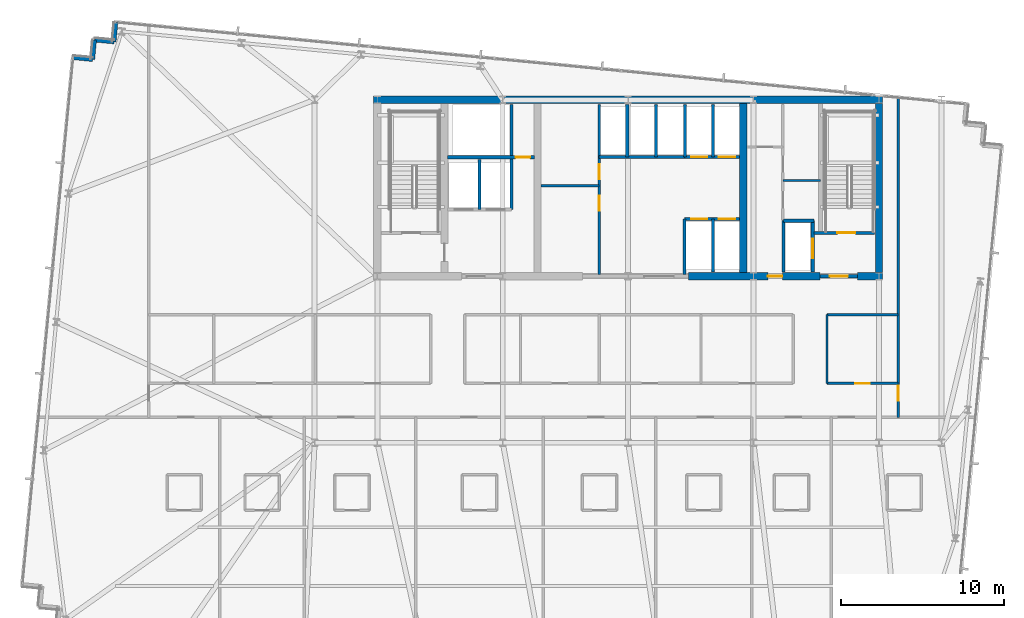
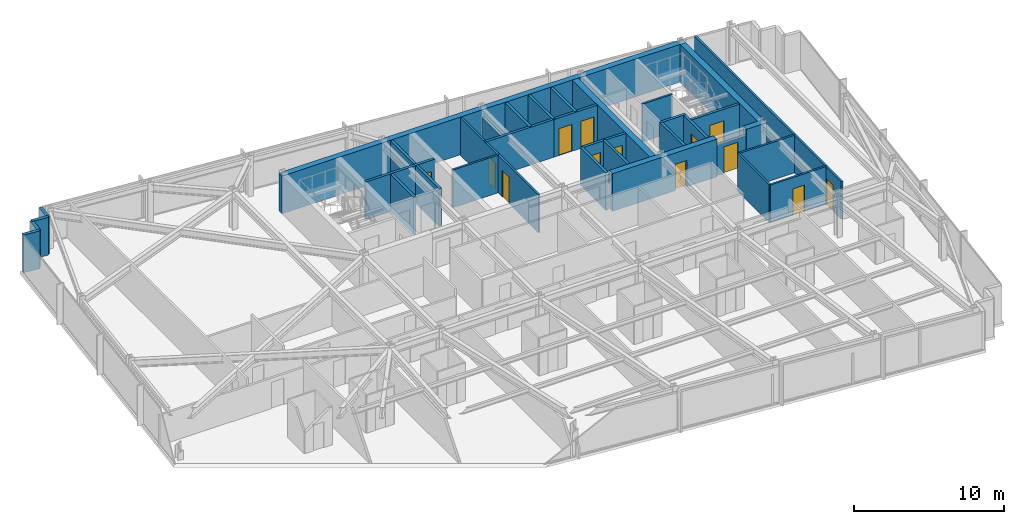
# One storey, part 31 of 37: 33 walls, 13 doors, 13 openings.
"""IFC4 building model written with IfcOpenShell, lengths in metres."""

from ifc_helpers import new_model, si_unit, direction, frame, frame_2d, origin, place, context, subcontext, project, spatial, rectangle, extrude, material, layer, layer_set, type_object, element, fill, save


model = new_model("IFC4")

# Units and contexts
model_context = context("Model", 3, precision=1e-05, world=origin(), true_north=direction((0.0, 1.0)))
body_context = subcontext(model_context, "Body", "Model", "MODEL_VIEW")
ifc_project = project(units=[si_unit("LENGTHUNIT", "METRE"), si_unit("AREAUNIT", "SQUARE_METRE"), si_unit("VOLUMEUNIT", "CUBIC_METRE"), si_unit("PLANEANGLEUNIT", "RADIAN"), si_unit("MASSUNIT", "GRAM", prefix="KILO")], contexts=[model_context])

# Site, building, storey
site_placement = place(None, origin())
site = spatial("IfcSite", under=ifc_project, at=site_placement, CompositionType="ELEMENT")
building_placement = place(site_placement, origin())
building = spatial("IfcBuilding", under=site, at=building_placement, Name="Yelkora Congress Tower", CompositionType="ELEMENT")
storey_placement = place(building_placement, frame((0.0, 0.0, 175.39990234375)))
storey = spatial("IfcBuildingStorey", under=building, at=storey_placement, Name="L48", CompositionType="ELEMENT", Elevation=175.39990234375)

# Wall
ifc_material_1 = material(Name="Concrete C60/75", Category="concrete")
ifc_layer_1 = layer(ifc_material_1, 0.449951171875)
ifc_layer_set_1 = layer_set([ifc_layer_1], Name="Concrete C60/75")
wall_type_1 = type_object("IfcWallType", Name="WALL-CORE-INT-450", PredefinedType="SHEAR", material=ifc_layer_set_1)
wall_1_placement = place(storey_placement, frame((22.81494140625, 46.199951171875, 0.0), z_axis=(0.0, 0.0, 1.0), x_axis=(1.0, 0.0, 0.0)))
element("IfcWall", 1, at=wall_1_placement, inside=storey, type_object=wall_type_1, Name="L48 Rear Core North Shear Wall", PredefinedType="SHEAR", context=body_context, shape_type="SweptSolid", body=[
    extrude(rectangle(XDim=31.170166015625, YDim=0.449951171875, at=frame_2d((15.5849609375, 0.0))), origin(), (0.0, 0.0, 1.0), 3.080078125),
])

# Wall, opening, door
wall_2_placement = place(storey_placement, frame((42.10009765625, 35.39990234375, 0.0), z_axis=(0.0, 0.0, 1.0), x_axis=(1.0, 0.0, 0.0)))
wall_2 = element("IfcWall", 2, at=wall_2_placement, inside=storey, type_object=wall_type_1, Name="L48 Rear Core South-East Shear Wall A", PredefinedType="SHEAR", context=body_context, shape_type="SweptSolid", body=[
    extrude(rectangle(XDim=8.0498046875, YDim=0.449951171875, at=frame_2d((4.02490234375, 0.0))), origin(), (0.0, 0.0, 1.0), 3.080078125),
])
opening_1_placement = place(wall_2_placement, frame((4.85009765625, 0.0, 0.0)))
opening_1 = element("IfcOpeningElement", 3, at=opening_1_placement, cuts=wall_2, Name="Opening DR-090F6", PredefinedType="OPENING", context=body_context, shape_type="SweptSolid", body=[
    extrude(rectangle(XDim=0.89990234375, YDim=2.14990234375, at=frame_2d((0.449951171875, 1.074951171875))), frame((0.0, 0.23486328125, 0.0), z_axis=(0.0, -1.0, 0.0), x_axis=(1.0, 0.0, 0.0)), (0.0, 0.0, 1.0), 0.469970703125),
])
ifc_material_2 = material(Name="Painted steel riser fire door leaf", Category="steel")
door_type_1 = type_object("IfcDoorType", Name="DOOR-FD60-900", OperationType="NOTDEFINED", PredefinedType="DOOR", material=ifc_material_2)
door_1_placement = place(opening_1_placement, origin())
door_1 = element("IfcDoor", 4, at=door_1_placement, inside=storey, type_object=door_type_1, Name="L48 Core Washroom Lobby Door", OperationType="SINGLE_SWING_RIGHT", OverallHeight=2.14990234375, OverallWidth=0.89990234375, PredefinedType="DOOR", context=body_context, shape_type="SweptSolid", body=[
    extrude(rectangle(XDim=0.89990234375, YDim=2.14990234375, at=frame_2d((0.449951171875, 1.074951171875))), frame((0.0, 0.02490234375, 0.0), z_axis=(0.0, -1.0, 0.0), x_axis=(1.0, 0.0, 0.0)), (0.0, 0.0, 1.0), 0.050048828125),
])
fill(opening_1, door_1)

# Walls
wall_3_placement = place(storey_placement, frame((52.449951171875, 35.39990234375, 0.0), z_axis=(0.0, 0.0, 1.0), x_axis=(1.0, 0.0, 0.0)))
element("IfcWall", 5, at=wall_3_placement, inside=storey, type_object=wall_type_1, Name="L48 Rear Core South-East Shear Wall B", PredefinedType="SHEAR", context=body_context, shape_type="SweptSolid", body=[
    extrude(rectangle(XDim=1.53515625, YDim=0.449951171875, at=frame_2d((0.767578125, 0.0))), origin(), (0.0, 0.0, 1.0), 3.080078125),
])
for number, where, z_axis, x_axis, name in (
    (6, (45.449951171875, 35.625, 0.0), (0.0, 0.0, 1.0), (0.0, 1.0, 0.0), "L48 Rear Core Cross Shear Wall C3"),
    (7, (53.760009765625, 35.625, 0.0), (0.0, 0.0, 1.0), (0.0, 1.0, 0.0), "L48 Rear Core Cross Shear Wall E"),
):
    element("IfcWall", number, at=place(storey_placement, frame(where, z_axis=z_axis, x_axis=x_axis)), inside=storey, type_object=wall_type_1, Name=name, PredefinedType="SHEAR", context=body_context, shape_type="SweptSolid", body=[
        extrude(rectangle(XDim=10.35009765625, YDim=0.449951171875, at=frame_2d((5.175048828125, 0.0))), origin(), (0.0, 0.0, 1.0), 3.080078125),
    ])
ifc_material_3 = material(Name="Concrete C40/50", Category="concrete")
ifc_layer_2 = layer(ifc_material_3, 0.239990234375)
ifc_layer_set_2 = layer_set([ifc_layer_2], Name="Concrete C40/50")
wall_type_2 = type_object("IfcWallType", Name="WALL-EXT-LIMESTONE-240", PredefinedType="SOLIDWALL", material=ifc_layer_set_2)
wall_4_placement = place(storey_placement, frame((4.41064453125, 48.778564453125, 0.0), z_axis=(0.0, 0.0, 1.0), x_axis=(0.995397091755, -0.095836473879, 0.0)))
element("IfcWall", 8, at=wall_4_placement, inside=storey, type_object=wall_type_2, Name="L48 Serrated Corner Limestone Pier 6", PredefinedType="SOLIDWALL", context=body_context, shape_type="SweptSolid", body=[
    extrude(rectangle(XDim=1.199951171875, YDim=0.239990234375, at=frame_2d((0.60009765625, 0.0))), origin(), (0.0, 0.0, 1.0), 3.080078125),
])
wall_5_placement = place(storey_placement, frame((5.60498046875, 48.66357421875, 0.0), z_axis=(0.0, 0.0, 1.0), x_axis=(0.096018626938, 0.995379537303, 0.0)))
element("IfcWall", 9, at=wall_5_placement, inside=storey, type_object=wall_type_2, Name="L48 Serrated Corner Limestone Pier 7", PredefinedType="SOLIDWALL", context=body_context, shape_type="SweptSolid", body=[
    extrude(rectangle(XDim=1.2001953125, YDim=0.239990234375, at=frame_2d((0.60009765625, 0.0))), origin(), (0.0, 0.0, 1.0), 3.080078125),
])
for number, where, z_axis, x_axis, name in (
    (10, (5.72021484375, 49.858154296875, 0.0), (0.0, 0.0, 1.0), (0.995397091755, -0.095836473879, 0.0), "L48 Serrated Corner Limestone Pier 8"),
    (11, (6.91455078125, 49.7431640625, 0.0), (0.0, 0.0, 1.0), (0.095836473879, 0.995397091755, 0.0), "L48 Serrated Corner Limestone Pier 9"),
):
    element("IfcWall", number, at=place(storey_placement, frame(where, z_axis=z_axis, x_axis=x_axis)), inside=storey, type_object=wall_type_2, Name=name, PredefinedType="SOLIDWALL", context=body_context, shape_type="SweptSolid", body=[
        extrude(rectangle(XDim=1.199951171875, YDim=0.239990234375, at=frame_2d((0.60009765625, 0.0))), origin(), (0.0, 0.0, 1.0), 3.080078125),
    ])
ifc_material_4 = material(Name="Acoustic metal-stud gypsum partition", Category="gypsum")
ifc_layer_3 = layer(ifc_material_4, 0.14990234375)
ifc_layer_set_3 = layer_set([ifc_layer_3], Name="Acoustic metal-stud gypsum partition")
wall_type_3 = type_object("IfcWallType", Name="WALL-INT-150-NR", PredefinedType="PARTITIONING", material=ifc_layer_set_3)
wall_6_placement = place(storey_placement, frame((47.8798828125, 41.260009765625, 0.0), z_axis=(0.0, 0.0, 1.0), x_axis=(1.0, 0.0, 0.0)))
element("IfcWall", 12, at=wall_6_placement, inside=storey, type_object=wall_type_3, Name="L48 Partition Wall 25", PredefinedType="PARTITIONING", context=body_context, shape_type="SweptSolid", body=[
    extrude(rectangle(XDim=2.300048828125, YDim=0.14990234375, at=frame_2d((1.14990234375, 0.0))), origin(), (0.0, 0.0, 1.0), 3.080078125),
])

# Wall, opening, door
wall_7_placement = place(storey_placement, frame((54.93408203125, 26.75, 0.0), z_axis=(0.0, 0.0, 1.0), x_axis=(0.0, 1.0, 0.0)))
wall_7 = element("IfcWall", 13, at=wall_7_placement, inside=storey, type_object=wall_type_3, Name="L48 Partition Wall 68", PredefinedType="PARTITIONING", context=body_context, shape_type="SweptSolid", body=[
    extrude(rectangle(XDim=19.63525390625, YDim=0.14990234375, at=frame_2d((9.817626953125, 0.0))), origin(), (0.0, 0.0, 1.0), 3.080078125),
])
opening_2_placement = place(wall_7_placement, frame((1.030029296875, 0.0, 0.0)))
opening_2 = element("IfcOpeningElement", 14, at=opening_2_placement, cuts=wall_7, Name="Opening DR-090N", PredefinedType="OPENING", context=body_context, shape_type="SweptSolid", body=[
    extrude(rectangle(XDim=0.89990234375, YDim=2.14990234375, at=frame_2d((0.449951171875, 1.074951171875))), frame((0.0, 0.0849609375, 0.0), z_axis=(0.0, -1.0, 0.0), x_axis=(1.0, 0.0, 0.0)), (0.0, 0.0, 1.0), 0.169921875),
])
ifc_material_5 = material(Name="Moisture-resistant laminate door leaf", Category="wood")
door_type_2 = type_object("IfcDoorType", Name="DOOR-INT-900", OperationType="NOTDEFINED", PredefinedType="DOOR", material=ifc_material_5)
door_2_placement = place(opening_2_placement, origin())
door_2 = element("IfcDoor", 15, at=door_2_placement, inside=storey, type_object=door_type_2, Name="L48 E Wing Door", OperationType="SINGLE_SWING_RIGHT", OverallHeight=2.14990234375, OverallWidth=0.89990234375, PredefinedType="DOOR", context=body_context, shape_type="SweptSolid", body=[
    extrude(rectangle(XDim=0.89990234375, YDim=2.14990234375, at=frame_2d((0.449951171875, 1.074951171875))), frame((0.0, 0.02490234375, 0.0), z_axis=(0.0, -1.0, 0.0), x_axis=(1.0, 0.0, 0.0)), (0.0, 0.0, 1.0), 0.050048828125),
])
fill(opening_2, door_2)

# Walls
wall_8_placement = place(storey_placement, frame((50.580078125, 28.830078125, 0.0), z_axis=(0.0, 0.0, 1.0), x_axis=(0.0, 1.0, 0.0)))
element("IfcWall", 16, at=wall_8_placement, inside=storey, type_object=wall_type_3, Name="L48 Partition Wall 72", PredefinedType="PARTITIONING", context=body_context, shape_type="SweptSolid", body=[
    extrude(rectangle(XDim=4.219970703125, YDim=0.14990234375, at=frame_2d((2.10986328125, 0.0))), origin(), (0.0, 0.0, 1.0), 3.080078125),
])
wall_9_placement = place(storey_placement, frame((50.580078125, 33.050048828125, 0.0), z_axis=(0.0, 0.0, 1.0), x_axis=(1.0, 0.0, 0.0)))
element("IfcWall", 17, at=wall_9_placement, inside=storey, type_object=wall_type_3, Name="L48 Partition Wall 75", PredefinedType="PARTITIONING", context=body_context, shape_type="SweptSolid", body=[
    extrude(rectangle(XDim=4.35400390625, YDim=0.14990234375, at=frame_2d((2.177001953125, 0.0))), origin(), (0.0, 0.0, 1.0), 3.080078125),
])

# Wall, opening, door
wall_10_placement = place(storey_placement, frame((50.590087890625, 28.830078125, 0.0), z_axis=(0.0, 0.0, 1.0), x_axis=(1.0, 0.0, 0.0)))
wall_10 = element("IfcWall", 18, at=wall_10_placement, inside=storey, type_object=wall_type_3, Name="L48 Partition Wall 83", PredefinedType="PARTITIONING", context=body_context, shape_type="SweptSolid", body=[
    extrude(rectangle(XDim=4.323974609375, YDim=0.14990234375, at=frame_2d((2.162109375, 0.0))), origin(), (0.0, 0.0, 1.0), 3.080078125),
])
opening_3_placement = place(wall_10_placement, frame((1.7119140625, 0.0, 0.0)))
opening_3 = element("IfcOpeningElement", 19, at=opening_3_placement, cuts=wall_10, Name="Opening DR-090N", PredefinedType="OPENING", context=body_context, shape_type="SweptSolid", body=[
    extrude(rectangle(XDim=0.89990234375, YDim=2.14990234375, at=frame_2d((0.449951171875, 1.074951171875))), frame((0.0, 0.0849609375, 0.0), z_axis=(0.0, -1.0, 0.0), x_axis=(1.0, 0.0, 0.0)), (0.0, 0.0, 1.0), 0.169921875),
])
door_3_placement = place(opening_3_placement, origin())
door_3 = element("IfcDoor", 20, at=door_3_placement, inside=storey, type_object=door_type_2, Name="L48 Delegate Kiosk Door", OperationType="SINGLE_SWING_RIGHT", OverallHeight=2.14990234375, OverallWidth=0.89990234375, PredefinedType="DOOR", context=body_context, shape_type="SweptSolid", body=[
    extrude(rectangle(XDim=0.89990234375, YDim=2.14990234375, at=frame_2d((0.449951171875, 1.074951171875))), frame((0.0, 0.02490234375, 0.0), z_axis=(0.0, -1.0, 0.0), x_axis=(1.0, 0.0, 0.0)), (0.0, 0.0, 1.0), 0.050048828125),
])
fill(opening_3, door_3)

# Wall
ifc_material_6 = material(Name="Twin-stud fire-rated gypsum partition", Category="gypsum")
ifc_layer_4 = layer(ifc_material_6, 0.14990234375)
ifc_layer_set_4 = layer_set([ifc_layer_4], Name="Twin-stud fire-rated gypsum partition")
wall_type_4 = type_object("IfcWallType", Name="WALL-INT-150-R60", PredefinedType="PARTITIONING", material=ifc_layer_set_4)
wall_11_placement = place(storey_placement, frame((33.050048828125, 40.949951171875, 0.0), z_axis=(0.0, 0.0, 1.0), x_axis=(1.0, 0.0, 0.0)))
element("IfcWall", 21, at=wall_11_placement, inside=storey, type_object=wall_type_4, Name="L48 Partition Wall 11", PredefinedType="PARTITIONING", context=body_context, shape_type="SweptSolid", body=[
    extrude(rectangle(XDim=3.570068359375, YDim=0.14990234375, at=frame_2d((1.78515625, 0.0))), origin(), (0.0, 0.0, 1.0), 3.080078125),
])

# Wall, openings, doors
wall_12_placement = place(storey_placement, frame((36.6201171875, 35.5, 0.0), z_axis=(0.0, 0.0, 1.0), x_axis=(0.0, 1.0, 0.0)))
wall_12 = element("IfcWall", 22, at=wall_12_placement, inside=storey, type_object=wall_type_4, Name="L48 Partition Wall 12", PredefinedType="PARTITIONING", context=body_context, shape_type="SweptSolid", body=[
    extrude(rectangle(XDim=10.419921875, YDim=0.14990234375, at=frame_2d((5.2099609375, 0.0))), origin(), (0.0, 0.0, 1.0), 3.080078125),
])
opening_4_placement = place(wall_12_placement, frame((3.919921875, 0.0, 0.0)))
opening_4 = element("IfcOpeningElement", 23, at=opening_4_placement, cuts=wall_12, Name="Opening DR-090F6", PredefinedType="OPENING", context=body_context, shape_type="SweptSolid", body=[
    extrude(rectangle(XDim=0.89990234375, YDim=2.14990234375, at=frame_2d((0.449951171875, 1.074951171875))), frame((0.0, 0.0849609375, 0.0), z_axis=(0.0, -1.0, 0.0), x_axis=(1.0, 0.0, 0.0)), (0.0, 0.0, 1.0), 0.169921875),
])
opening_5_placement = place(wall_12_placement, frame((5.85009765625, 0.0, 0.0)))
opening_5 = element("IfcOpeningElement", 24, at=opening_5_placement, cuts=wall_12, Name="Opening DR-090F6", PredefinedType="OPENING", context=body_context, shape_type="SweptSolid", body=[
    extrude(rectangle(XDim=0.89990234375, YDim=2.14990234375, at=frame_2d((0.449951171875, 1.074951171875))), frame((0.0, 0.0849609375, 0.0), z_axis=(0.0, -1.0, 0.0), x_axis=(1.0, 0.0, 0.0)), (0.0, 0.0, 1.0), 0.169921875),
])
door_4_placement = place(opening_4_placement, origin())
door_4 = element("IfcDoor", 25, at=door_4_placement, inside=storey, type_object=door_type_1, Name="L48 Telecom Store Door", OperationType="SINGLE_SWING_LEFT", OverallHeight=2.14990234375, OverallWidth=0.89990234375, PredefinedType="DOOR", context=body_context, shape_type="SweptSolid", body=[
    extrude(rectangle(XDim=0.89990234375, YDim=2.14990234375, at=frame_2d((0.449951171875, 1.074951171875))), frame((0.0, 0.02490234375, 0.0), z_axis=(0.0, -1.0, 0.0), x_axis=(1.0, 0.0, 0.0)), (0.0, 0.0, 1.0), 0.050048828125),
])
fill(opening_4, door_4)
door_5_placement = place(opening_5_placement, origin())
door_5 = element("IfcDoor", 26, at=door_5_placement, inside=storey, type_object=door_type_1, Name="L48 Archive Store Door", OperationType="SINGLE_SWING_RIGHT", OverallHeight=2.14990234375, OverallWidth=0.89990234375, PredefinedType="DOOR", context=body_context, shape_type="SweptSolid", body=[
    extrude(rectangle(XDim=0.89990234375, YDim=2.14990234375, at=frame_2d((0.449951171875, 1.074951171875))), frame((0.0, 0.02490234375, 0.0), z_axis=(0.0, -1.0, 0.0), x_axis=(1.0, 0.0, 0.0)), (0.0, 0.0, 1.0), 0.050048828125),
])
fill(opening_5, door_5)

# Walls
ifc_material_7 = material(Name="Autoclaved aerated concrete blockwork", Category="masonry")
ifc_layer_5 = layer(ifc_material_7, 0.199951171875)
ifc_layer_set_5 = layer_set([ifc_layer_5], Name="Autoclaved aerated concrete blockwork")
wall_type_5 = type_object("IfcWallType", Name="WALL-INT-200-R120", PredefinedType="PARTITIONING", material=ifc_layer_set_5)
wall_13_placement = place(storey_placement, frame((29.300048828125, 39.47998046875, 0.0), z_axis=(0.0, 0.0, 1.0), x_axis=(0.0, 1.0, 0.0)))
element("IfcWall", 27, at=wall_13_placement, inside=storey, type_object=wall_type_5, Name="L48 Partition Wall 4", PredefinedType="PARTITIONING", context=body_context, shape_type="SweptSolid", body=[
    extrude(rectangle(XDim=3.070068359375, YDim=0.199951171875, at=frame_2d((1.53515625, 0.0))), origin(), (0.0, 0.0, 1.0), 3.080078125),
])
wall_14_placement = place(storey_placement, frame((31.260009765625, 39.47998046875, 0.0), z_axis=(0.0, 0.0, 1.0), x_axis=(0.0, 1.0, 0.0)))
element("IfcWall", 28, at=wall_14_placement, inside=storey, type_object=wall_type_5, Name="L48 Partition Wall 5", PredefinedType="PARTITIONING", context=body_context, shape_type="SweptSolid", body=[
    extrude(rectangle(XDim=6.43994140625, YDim=0.199951171875, at=frame_2d((3.219970703125, 0.0))), origin(), (0.0, 0.0, 1.0), 3.080078125),
])

# Wall, opening, door
wall_15_placement = place(storey_placement, frame((27.320068359375, 42.679931640625, 0.0), z_axis=(0.0, 0.0, 1.0), x_axis=(1.0, 0.0, 0.0)))
wall_15 = element("IfcWall", 29, at=wall_15_placement, inside=storey, type_object=wall_type_5, Name="L48 Smoke Riser South Wall", PredefinedType="PARTITIONING", context=body_context, shape_type="SweptSolid", body=[
    extrude(rectangle(XDim=5.329833984375, YDim=0.199951171875, at=frame_2d((2.6650390625, 0.0))), origin(), (0.0, 0.0, 1.0), 3.080078125),
])
opening_6_placement = place(wall_15_placement, frame((4.179931640625, 0.0, 0.0)))
opening_6 = element("IfcOpeningElement", 30, at=opening_6_placement, cuts=wall_15, Name="Opening DR-090F6", PredefinedType="OPENING", context=body_context, shape_type="SweptSolid", body=[
    extrude(rectangle(XDim=0.89990234375, YDim=2.14990234375, at=frame_2d((0.449951171875, 1.074951171875))), frame((0.0, 0.10986328125, 0.0), z_axis=(0.0, -1.0, 0.0), x_axis=(1.0, 0.0, 0.0)), (0.0, 0.0, 1.0), 0.219970703125),
])
door_6_placement = place(opening_6_placement, origin())
door_6 = element("IfcDoor", 31, at=door_6_placement, inside=storey, type_object=door_type_1, Name="L48 Riser Access Door", OperationType="SINGLE_SWING_LEFT", OverallHeight=2.14990234375, OverallWidth=0.89990234375, PredefinedType="DOOR", context=body_context, shape_type="SweptSolid", body=[
    extrude(rectangle(XDim=0.89990234375, YDim=2.14990234375, at=frame_2d((0.449951171875, 1.074951171875))), frame((0.0, 0.02490234375, 0.0), z_axis=(0.0, -1.0, 0.0), x_axis=(1.0, 0.0, 0.0)), (0.0, 0.0, 1.0), 0.050048828125),
])
fill(opening_6, door_6)

# Walls
wall_16_placement = place(storey_placement, frame((36.60009765625, 42.699951171875, 0.0), z_axis=(0.0, 0.0, 1.0), x_axis=(1.0, 0.0, 0.0)))
element("IfcWall", 32, at=wall_16_placement, inside=storey, type_object=wall_type_5, Name="L48 Partition Wall 8", PredefinedType="PARTITIONING", context=body_context, shape_type="SweptSolid", body=[
    extrude(rectangle(XDim=5.25, YDim=0.199951171875, at=frame_2d((2.625, 0.0))), origin(), (0.0, 0.0, 1.0), 3.080078125),
])
wall_17_placement = place(storey_placement, frame((38.35009765625, 42.699951171875, 0.0), z_axis=(0.0, 0.0, 1.0), x_axis=(0.0, 1.0, 0.0)))
element("IfcWall", 33, at=wall_17_placement, inside=storey, type_object=wall_type_5, Name="L48 Partition Wall 9", PredefinedType="PARTITIONING", context=body_context, shape_type="SweptSolid", body=[
    extrude(rectangle(XDim=3.219970703125, YDim=0.199951171875, at=frame_2d((1.60986328125, 0.0))), origin(), (0.0, 0.0, 1.0), 2.47509765625),
])
wall_18_placement = place(storey_placement, frame((40.10009765625, 42.699951171875, 0.0), z_axis=(0.0, 0.0, 1.0), x_axis=(0.0, 1.0, 0.0)))
element("IfcWall", 34, at=wall_18_placement, inside=storey, type_object=wall_type_5, Name="L48 Partition Wall 10", PredefinedType="PARTITIONING", context=body_context, shape_type="SweptSolid", body=[
    extrude(rectangle(XDim=3.219970703125, YDim=0.199951171875, at=frame_2d((1.60986328125, 0.0))), origin(), (0.0, 0.0, 1.0), 3.080078125),
])

# Wall, openings, doors
wall_19_placement = place(storey_placement, frame((41.85009765625, 38.89990234375, 0.0), z_axis=(0.0, 0.0, 1.0), x_axis=(1.0, 0.0, 0.0)))
wall_19 = element("IfcWall", 35, at=wall_19_placement, inside=storey, type_object=wall_type_5, Name="L48 Partition Wall 13", PredefinedType="PARTITIONING", context=body_context, shape_type="SweptSolid", body=[
    extrude(rectangle(XDim=3.369873046875, YDim=0.199951171875, at=frame_2d((1.68505859375, 0.0))), origin(), (0.0, 0.0, 1.0), 3.080078125),
])
opening_7_placement = place(wall_19_placement, frame((0.39990234375, 0.0, 0.0)))
opening_7 = element("IfcOpeningElement", 36, at=opening_7_placement, cuts=wall_19, Name="Opening LD-PS10", PredefinedType="OPENING", context=body_context, shape_type="SweptSolid", body=[
    extrude(rectangle(XDim=1.0, YDim=2.199951171875, at=frame_2d((0.5, 1.10009765625))), frame((0.0, 0.10986328125, 0.0), z_axis=(0.0, -1.0, 0.0), x_axis=(1.0, 0.0, 0.0)), (0.0, 0.0, 1.0), 0.219970703125),
])
opening_8_placement = place(wall_19_placement, frame((2.10009765625, 0.0, 0.0)))
opening_8 = element("IfcOpeningElement", 37, at=opening_8_placement, cuts=wall_19, Name="Opening LD-PS10", PredefinedType="OPENING", context=body_context, shape_type="SweptSolid", body=[
    extrude(rectangle(XDim=1.0, YDim=2.199951171875, at=frame_2d((0.5, 1.10009765625))), frame((0.0, 0.10986328125, 0.0), z_axis=(0.0, -1.0, 0.0), x_axis=(1.0, 0.0, 0.0)), (0.0, 0.0, 1.0), 0.219970703125),
])
ifc_material_8 = material(Name="Champagne stainless steel landing door", Category="steel")
door_type_3 = type_object("IfcDoorType", Name="DOOR-LIFT-PAS-1000", OperationType="DOUBLE_DOOR_SLIDING", PredefinedType="DOOR", material=ifc_material_8)
door_7_placement = place(opening_7_placement, origin())
door_7 = element("IfcDoor", 38, at=door_7_placement, inside=storey, type_object=door_type_3, Name="Lift Landing Door LF-P5 L48", OperationType="DOUBLE_DOOR_SLIDING", OverallHeight=2.199951171875, OverallWidth=1.0, PredefinedType="DOOR", context=body_context, shape_type="SweptSolid", body=[
    extrude(rectangle(XDim=1.0, YDim=2.199951171875, at=frame_2d((0.5, 1.10009765625))), frame((0.0, 0.02490234375, 0.0), z_axis=(0.0, -1.0, 0.0), x_axis=(1.0, 0.0, 0.0)), (0.0, 0.0, 1.0), 0.050048828125),
])
fill(opening_7, door_7)
door_8_placement = place(opening_8_placement, origin())
door_8 = element("IfcDoor", 39, at=door_8_placement, inside=storey, type_object=door_type_3, Name="Lift Landing Door LF-P6 L48", OperationType="DOUBLE_DOOR_SLIDING", OverallHeight=2.199951171875, OverallWidth=1.0, PredefinedType="DOOR", context=body_context, shape_type="SweptSolid", body=[
    extrude(rectangle(XDim=1.0, YDim=2.199951171875, at=frame_2d((0.5, 1.10009765625))), frame((0.0, 0.02490234375, 0.0), z_axis=(0.0, -1.0, 0.0), x_axis=(1.0, 0.0, 0.0)), (0.0, 0.0, 1.0), 0.050048828125),
])
fill(opening_8, door_8)

wall_20_placement = place(storey_placement, frame((41.85009765625, 42.699951171875, 0.0), z_axis=(0.0, 0.0, 1.0), x_axis=(1.0, 0.0, 0.0)))
wall_20 = element("IfcWall", 40, at=wall_20_placement, inside=storey, type_object=wall_type_5, Name="L48 Partition Wall 14", PredefinedType="PARTITIONING", context=body_context, shape_type="SweptSolid", body=[
    extrude(rectangle(XDim=3.369873046875, YDim=0.199951171875, at=frame_2d((1.68505859375, 0.0))), origin(), (0.0, 0.0, 1.0), 3.080078125),
])
opening_9_placement = place(wall_20_placement, frame((0.39990234375, 0.0, 0.0)))
opening_9 = element("IfcOpeningElement", 41, at=opening_9_placement, cuts=wall_20, Name="Opening LD-PS10", PredefinedType="OPENING", context=body_context, shape_type="SweptSolid", body=[
    extrude(rectangle(XDim=1.0, YDim=2.199951171875, at=frame_2d((0.5, 1.10009765625))), frame((0.0, 0.10986328125, 0.0), z_axis=(0.0, -1.0, 0.0), x_axis=(1.0, 0.0, 0.0)), (0.0, 0.0, 1.0), 0.219970703125),
])
opening_10_placement = place(wall_20_placement, frame((2.10009765625, 0.0, 0.0)))
opening_10 = element("IfcOpeningElement", 42, at=opening_10_placement, cuts=wall_20, Name="Opening LD-PS10", PredefinedType="OPENING", context=body_context, shape_type="SweptSolid", body=[
    extrude(rectangle(XDim=1.0, YDim=2.199951171875, at=frame_2d((0.5, 1.10009765625))), frame((0.0, 0.10986328125, 0.0), z_axis=(0.0, -1.0, 0.0), x_axis=(1.0, 0.0, 0.0)), (0.0, 0.0, 1.0), 0.219970703125),
])
door_9_placement = place(opening_9_placement, origin())
door_9 = element("IfcDoor", 43, at=door_9_placement, inside=storey, type_object=door_type_3, Name="Lift Landing Door LF-P7 L48", OperationType="DOUBLE_DOOR_SLIDING", OverallHeight=2.199951171875, OverallWidth=1.0, PredefinedType="DOOR", context=body_context, shape_type="SweptSolid", body=[
    extrude(rectangle(XDim=1.0, YDim=2.199951171875, at=frame_2d((0.5, 1.10009765625))), frame((0.0, 0.02490234375, 0.0), z_axis=(0.0, -1.0, 0.0), x_axis=(1.0, 0.0, 0.0)), (0.0, 0.0, 1.0), 0.050048828125),
])
fill(opening_9, door_9)
door_10_placement = place(opening_10_placement, origin())
door_10 = element("IfcDoor", 44, at=door_10_placement, inside=storey, type_object=door_type_3, Name="Lift Landing Door LF-P8 L48", OperationType="DOUBLE_DOOR_SLIDING", OverallHeight=2.199951171875, OverallWidth=1.0, PredefinedType="DOOR", context=body_context, shape_type="SweptSolid", body=[
    extrude(rectangle(XDim=1.0, YDim=2.199951171875, at=frame_2d((0.5, 1.10009765625))), frame((0.0, 0.02490234375, 0.0), z_axis=(0.0, -1.0, 0.0), x_axis=(1.0, 0.0, 0.0)), (0.0, 0.0, 1.0), 0.050048828125),
])
fill(opening_10, door_10)

# Walls
wall_21_placement = place(storey_placement, frame((43.60009765625, 35.64990234375, 0.0), z_axis=(0.0, 0.0, 1.0), x_axis=(0.0, 1.0, 0.0)))
element("IfcWall", 45, at=wall_21_placement, inside=storey, type_object=wall_type_5, Name="L48 Partition Wall 15", PredefinedType="PARTITIONING", context=body_context, shape_type="SweptSolid", body=[
    extrude(rectangle(XDim=3.25, YDim=0.199951171875, at=frame_2d((1.625, 0.0))), origin(), (0.0, 0.0, 1.0), 3.080078125),
])
wall_22_placement = place(storey_placement, frame((43.60009765625, 42.699951171875, 0.0), z_axis=(0.0, 0.0, 1.0), x_axis=(0.0, 1.0, 0.0)))
element("IfcWall", 46, at=wall_22_placement, inside=storey, type_object=wall_type_5, Name="L48 Partition Wall 16", PredefinedType="PARTITIONING", context=body_context, shape_type="SweptSolid", body=[
    extrude(rectangle(XDim=3.219970703125, YDim=0.199951171875, at=frame_2d((1.60986328125, 0.0))), origin(), (0.0, 0.0, 1.0), 3.080078125),
])
wall_23_placement = place(storey_placement, frame((41.85009765625, 35.5, 0.0), z_axis=(0.0, 0.0, 1.0), x_axis=(0.0, 1.0, 0.0)))
element("IfcWall", 47, at=wall_23_placement, inside=storey, type_object=wall_type_5, Name="L48 Partition Wall 17", PredefinedType="PARTITIONING", context=body_context, shape_type="SweptSolid", body=[
    extrude(rectangle(XDim=3.39990234375, YDim=0.199951171875, at=frame_2d((1.699951171875, 0.0))), origin(), (0.0, 0.0, 1.0), 3.080078125),
])
wall_24_placement = place(storey_placement, frame((41.8798828125, 42.699951171875, 0.0), z_axis=(0.0, 0.0, 1.0), x_axis=(0.0, 1.0, 0.0)))
element("IfcWall", 48, at=wall_24_placement, inside=storey, type_object=wall_type_5, Name="L48 Partition Wall 18", PredefinedType="PARTITIONING", context=body_context, shape_type="SweptSolid", body=[
    extrude(rectangle(XDim=3.219970703125, YDim=0.199951171875, at=frame_2d((1.60986328125, 0.0))), origin(), (0.0, 0.0, 1.0), 3.080078125),
])

# Wall, opening, door
wall_25_placement = place(storey_placement, frame((49.780029296875, 38.050048828125, 0.0), z_axis=(0.0, 0.0, 1.0), x_axis=(1.0, 0.0, 0.0)))
wall_25 = element("IfcWall", 49, at=wall_25_placement, inside=storey, type_object=wall_type_5, Name="L48 Stair ST-02 Enclosure Wall", PredefinedType="PARTITIONING", context=body_context, shape_type="SweptSolid", body=[
    extrude(rectangle(XDim=3.719970703125, YDim=0.199951171875, at=frame_2d((1.85986328125, 0.0))), origin(), (0.0, 0.0, 1.0), 3.080078125),
])
opening_11_placement = place(wall_25_placement, frame((1.436279296875, 0.0, 0.0)))
opening_11 = element("IfcOpeningElement", 50, at=opening_11_placement, cuts=wall_25, Name="Opening DR-110F9", PredefinedType="OPENING", context=body_context, shape_type="SweptSolid", body=[
    extrude(rectangle(XDim=1.10009765625, YDim=2.14990234375, at=frame_2d((0.550048828125, 1.074951171875))), frame((0.0, 0.10986328125, 0.0), z_axis=(0.0, -1.0, 0.0), x_axis=(1.0, 0.0, 0.0)), (0.0, 0.0, 1.0), 0.219970703125),
])
ifc_material_9 = material(Name="Galvanised steel fire door leaf", Category="steel")
door_type_4 = type_object("IfcDoorType", Name="DOOR-FD90-1100", OperationType="NOTDEFINED", PredefinedType="DOOR", material=ifc_material_9)
door_11_placement = place(opening_11_placement, origin())
door_11 = element("IfcDoor", 51, at=door_11_placement, inside=storey, type_object=door_type_4, Name="L48 Stair ST-02 Entry Door", OperationType="SINGLE_SWING_LEFT", OverallHeight=2.14990234375, OverallWidth=1.10009765625, PredefinedType="DOOR", context=body_context, shape_type="SweptSolid", body=[
    extrude(rectangle(XDim=1.10009765625, YDim=2.14990234375, at=frame_2d((0.550048828125, 1.074951171875))), frame((0.0, 0.02490234375, 0.0), z_axis=(0.0, -1.0, 0.0), x_axis=(1.0, 0.0, 0.0)), (0.0, 0.0, 1.0), 0.050048828125),
])
fill(opening_11, door_11)

wall_26_placement = place(storey_placement, frame((50.14990234375, 35.39990234375, 0.0), z_axis=(0.0, 0.0, 1.0), x_axis=(1.0, 0.0, 0.0)))
wall_26 = element("IfcWall", 52, at=wall_26_placement, inside=storey, type_object=wall_type_5, Name="L48 Partition Wall 20", PredefinedType="PARTITIONING", context=body_context, shape_type="SweptSolid", body=[
    extrude(rectangle(XDim=2.300048828125, YDim=0.199951171875, at=frame_2d((1.14990234375, 0.0))), origin(), (0.0, 0.0, 1.0), 2.47509765625),
])
opening_12_placement = place(wall_26_placement, frame((0.60009765625, 0.0, 0.0)))
opening_12 = element("IfcOpeningElement", 53, at=opening_12_placement, cuts=wall_26, Name="Opening DR-110F9", PredefinedType="OPENING", context=body_context, shape_type="SweptSolid", body=[
    extrude(rectangle(XDim=1.10009765625, YDim=2.14990234375, at=frame_2d((0.550048828125, 1.074951171875))), frame((0.0, 0.10986328125, 0.0), z_axis=(0.0, -1.0, 0.0), x_axis=(1.0, 0.0, 0.0)), (0.0, 0.0, 1.0), 0.219970703125),
])
door_12_placement = place(opening_12_placement, origin())
door_12 = element("IfcDoor", 54, at=door_12_placement, inside=storey, type_object=door_type_4, Name="L48 East Stair Lobby Door", OperationType="SINGLE_SWING_RIGHT", OverallHeight=2.14990234375, OverallWidth=1.10009765625, PredefinedType="DOOR", context=body_context, shape_type="SweptSolid", body=[
    extrude(rectangle(XDim=1.10009765625, YDim=2.14990234375, at=frame_2d((0.550048828125, 1.074951171875))), frame((0.0, 0.02490234375, 0.0), z_axis=(0.0, -1.0, 0.0), x_axis=(1.0, 0.0, 0.0)), (0.0, 0.0, 1.0), 0.050048828125),
])
fill(opening_12, door_12)

wall_27_placement = place(storey_placement, frame((49.699951171875, 35.64990234375, 0.0), z_axis=(0.0, 0.0, 1.0), x_axis=(0.0, 1.0, 0.0)))
wall_27 = element("IfcWall", 55, at=wall_27_placement, inside=storey, type_object=wall_type_5, Name="L48 Partition Wall 21", PredefinedType="PARTITIONING", context=body_context, shape_type="SweptSolid", body=[
    extrude(rectangle(XDim=3.150146484375, YDim=0.199951171875, at=frame_2d((1.5751953125, 0.0))), origin(), (0.0, 0.0, 1.0), 3.080078125),
])
opening_13_placement = place(wall_27_placement, frame((0.85009765625, 0.0, 0.0)))
opening_13 = element("IfcOpeningElement", 56, at=opening_13_placement, cuts=wall_27, Name="Opening LD-SV12", PredefinedType="OPENING", context=body_context, shape_type="SweptSolid", body=[
    extrude(rectangle(XDim=1.199951171875, YDim=2.199951171875, at=frame_2d((0.60009765625, 1.10009765625))), frame((0.0, 0.10986328125, 0.0), z_axis=(0.0, -1.0, 0.0), x_axis=(1.0, 0.0, 0.0)), (0.0, 0.0, 1.0), 0.219970703125),
])
ifc_material_10 = material(Name="Heavy-duty stainless steel landing door", Category="steel")
door_type_5 = type_object("IfcDoorType", Name="DOOR-LIFT-SRV-1200", OperationType="DOUBLE_DOOR_SLIDING", PredefinedType="DOOR", material=ifc_material_10)
door_13_placement = place(opening_13_placement, origin())
door_13 = element("IfcDoor", 57, at=door_13_placement, inside=storey, type_object=door_type_5, Name="Service Lift Landing Door LF-SV1 L48", OperationType="DOUBLE_DOOR_SLIDING", OverallHeight=2.199951171875, OverallWidth=1.199951171875, PredefinedType="DOOR", context=body_context, shape_type="SweptSolid", body=[
    extrude(rectangle(XDim=1.199951171875, YDim=2.199951171875, at=frame_2d((0.60009765625, 1.10009765625))), frame((0.0, 0.02490234375, 0.0), z_axis=(0.0, -1.0, 0.0), x_axis=(1.0, 0.0, 0.0)), (0.0, 0.0, 1.0), 0.050048828125),
])
fill(opening_13, door_13)

# Walls
wall_28_placement = place(storey_placement, frame((47.919921875, 35.64990234375, 0.0), z_axis=(0.0, 0.0, 1.0), x_axis=(0.0, 1.0, 0.0)))
element("IfcWall", 58, at=wall_28_placement, inside=storey, type_object=wall_type_5, Name="L48 Partition Wall 22", PredefinedType="PARTITIONING", context=body_context, shape_type="SweptSolid", body=[
    extrude(rectangle(XDim=3.150146484375, YDim=0.199951171875, at=frame_2d((1.5751953125, 0.0))), origin(), (0.0, 0.0, 1.0), 3.080078125),
])
wall_29_placement = place(storey_placement, frame((47.919921875, 38.800048828125, 0.0), z_axis=(0.0, 0.0, 1.0), x_axis=(1.0, 0.0, 0.0)))
element("IfcWall", 59, at=wall_29_placement, inside=storey, type_object=wall_type_5, Name="L48 Partition Wall 23", PredefinedType="PARTITIONING", context=body_context, shape_type="SweptSolid", body=[
    extrude(rectangle(XDim=1.860107421875, YDim=0.199951171875, at=frame_2d((0.93017578125, 0.0))), origin(), (0.0, 0.0, 1.0), 3.080078125),
])

save(model, "model.ifc")
